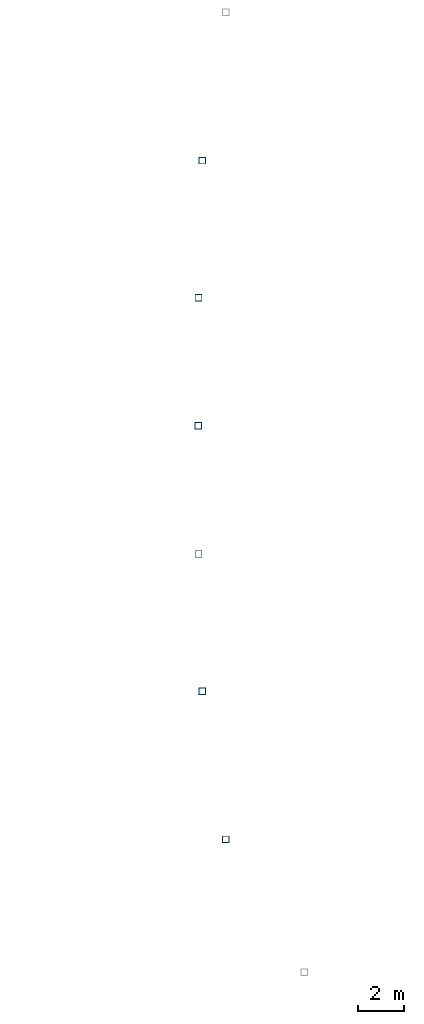
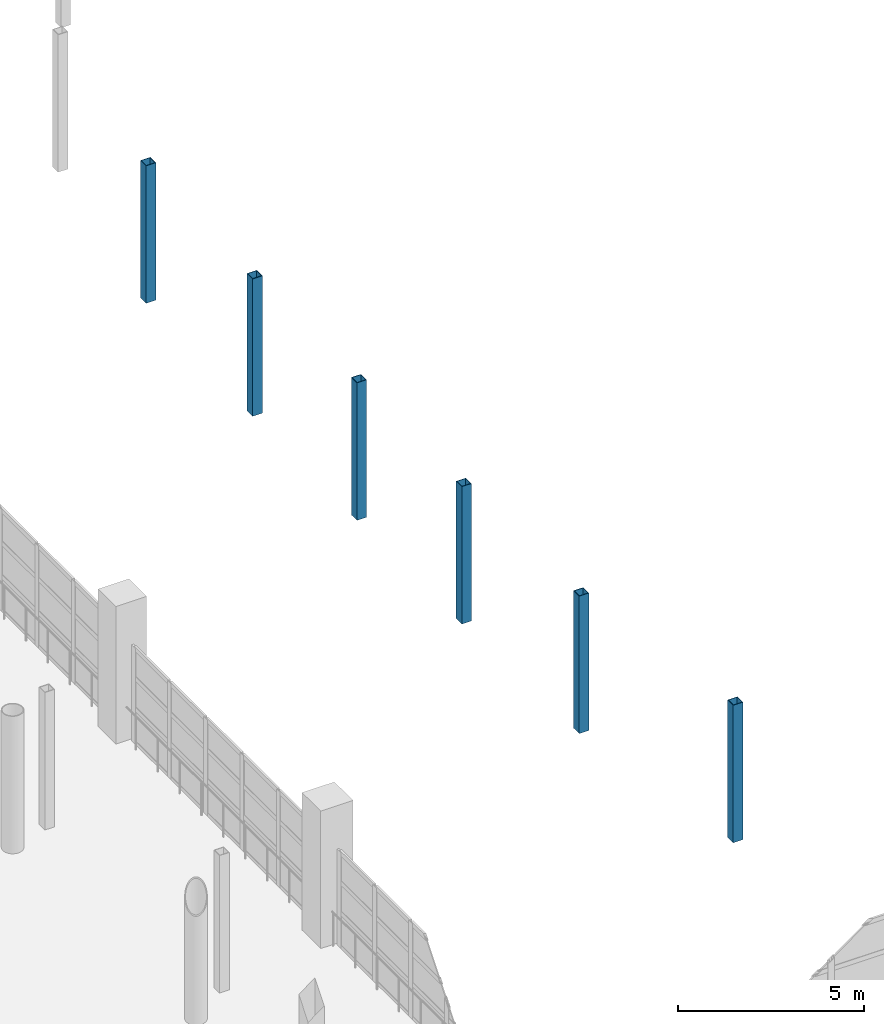
# One storey, part 7 of 118: 6 columns.
"""IFC4 building model written with IfcOpenShell, lengths in metres."""

import ifcopenshell
import ifcopenshell.guid

model = None  # the IFC model being written
_history = None  # IfcOwnerHistory: only IFC2X3 demands one
_inside = {}  # id of a spatial element -> (the spatial element, [elements in it])
_under = {}  # id of a project, library or spatial element -> (it, [spatial elements below it])
_declared = {}  # id of a project -> (the project, [libraries it declares])
_typed = {}  # id of a type object -> (the type object, [elements of that type])
_made_of = {}  # id of a material, layer set ... -> (it, [elements and type objects made of it])


def new_model(schema):
    """Start an empty IFC model of exactly this schema.

    Asked for "IFC4X3", IfcOpenShell would pick the latest addendum, in which some entities
    have other attributes; the version numbers below select the first issue.
    IFC2X3 requires an IfcOwnerHistory on every rooted entity: one is made here for all.
    """
    global model, _history
    if schema == "IFC4X3":
        model = ifcopenshell.file(schema_version=(4, 3, 0, 0))
    else:
        model = ifcopenshell.file(schema=schema)
    _inside.clear()
    _under.clear()
    _declared.clear()
    _typed.clear()
    _made_of.clear()
    _history = None
    if model.schema == "IFC2X3":
        org = make("IfcOrganization", Name="unknown")
        user = make(
            "IfcPersonAndOrganization",
            ThePerson=make("IfcPerson", FamilyName="unknown"),
            TheOrganization=org,
        )
        app = make(
            "IfcApplication",
            ApplicationDeveloper=org,
            Version="unknown",
            ApplicationFullName="unknown",
            ApplicationIdentifier="unknown",
        )
        _history = make(
            "IfcOwnerHistory",
            OwningUser=user,
            OwningApplication=app,
            ChangeAction="ADDED",
            CreationDate=0,
        )
    return model


def make(cls, **values):
    """One entity of the class cls with the attributes given. An attribute that is None is left unset."""
    return model.create_entity(
        cls, **{name: value for name, value in values.items() if value is not None}
    )


def rooted(cls, **values):
    """An entity with a GlobalId (a new one), such as an element, a storey or a relation."""
    return make(cls, GlobalId=ifcopenshell.guid.new(), OwnerHistory=_history, **values)


def si_unit(unit_type, name, prefix=None):
    """IfcSIUnit, for example si_unit("LENGTHUNIT", "METRE", prefix="MILLI")."""
    return make("IfcSIUnit", UnitType=unit_type, Prefix=prefix, Name=name)


def assignment(units):
    """IfcUnitAssignment: the units of a project."""
    return None if units is None else make("IfcUnitAssignment", Units=units)


def point(xyz):
    """IfcCartesianPoint."""
    return None if xyz is None else make("IfcCartesianPoint", Coordinates=xyz)


def direction(xyz):
    """IfcDirection."""
    return None if xyz is None else make("IfcDirection", DirectionRatios=xyz)


def frame(location, z_axis=None, x_axis=None):
    """IfcAxis2Placement3D, a coordinate frame: its origin and axes. An axis left out is left unset."""
    return make(
        "IfcAxis2Placement3D",
        Location=point(location),
        Axis=direction(z_axis),
        RefDirection=direction(x_axis),
    )


def frame_2d(location, x_axis=None):
    """IfcAxis2Placement2D, a coordinate frame in the plane: its origin and x axis."""
    return make(
        "IfcAxis2Placement2D", Location=point(location), RefDirection=direction(x_axis)
    )


def origin():
    """The frame at (0, 0, 0) with its axes left unset."""
    return frame((0.0, 0.0, 0.0))


def origin_2d():
    """The frame at (0, 0) in the plane with its x axis left unset."""
    return frame_2d((0.0, 0.0))


def place(relative_to, where):
    """IfcLocalPlacement: puts the frame where relative to a parent placement (None: the world)."""
    return make(
        "IfcLocalPlacement", PlacementRelTo=relative_to, RelativePlacement=where
    )


def context(
    kind, dimensions, precision=None, world=None, true_north=None, identifier=None
):
    """IfcGeometricRepresentationContext, for example the 3D "Model" context."""
    return make(
        "IfcGeometricRepresentationContext",
        ContextIdentifier=identifier,
        ContextType=kind,
        CoordinateSpaceDimension=dimensions,
        Precision=precision,
        WorldCoordinateSystem=world,
        TrueNorth=true_north,
    )


def subcontext(parent, identifier, kind, view, scale=None):
    """IfcGeometricRepresentationSubContext, for example "Body" below "Model"."""
    return make(
        "IfcGeometricRepresentationSubContext",
        ContextIdentifier=identifier,
        ContextType=kind,
        ParentContext=parent,
        TargetScale=scale,
        TargetView=view,
    )


def project(units=None, contexts=None):
    """IfcProject with its units and contexts."""
    return rooted(
        "IfcProject",
        Name="project",
        RepresentationContexts=contexts,
        UnitsInContext=assignment(units),
    )


def spatial(cls, under=None, at=None, **own):
    """A site, building, storey or space (cls), placed at a placement, below another one or the project."""
    s = rooted(cls, ObjectPlacement=at, **own)
    if under is not None:
        _under.setdefault(under.id(), (under, []))[1].append(s)
    return s


def profile(cls, at=None, kind="AREA", **sizes):
    """A parametric profile (cls). Its sizes go by their IFC names, for example OverallWidth=200.0."""
    return make(cls, ProfileType=kind, Position=at, **sizes)


def hollow_rectangle(**sizes):
    """IfcRectangleHollowProfileDef."""
    return profile("IfcRectangleHollowProfileDef", **sizes)


def extrude(swept, where, along, depth):
    """IfcExtrudedAreaSolid: the profile swept, set in the frame where, extruded along a direction by depth."""
    return make(
        "IfcExtrudedAreaSolid",
        SweptArea=swept,
        Position=where,
        ExtrudedDirection=direction(along),
        Depth=depth,
    )


def shape(context_of_items, identifier, shape_type, items):
    """IfcShapeRepresentation: the items that make up one representation, for example the "Body"."""
    return make(
        "IfcShapeRepresentation",
        ContextOfItems=context_of_items,
        RepresentationIdentifier=identifier,
        RepresentationType=shape_type,
        Items=items,
    )


def material(Name=None, Category=None):
    """IfcMaterial."""
    return make("IfcMaterial", Name=Name, Category=Category)


def material_profile(
    of_material, cross_section, Name=None, Category=None, Priority=None
):
    """IfcMaterialProfile: a cross section and its material."""
    return make(
        "IfcMaterialProfile",
        Name=Name,
        Material=of_material,
        Profile=cross_section,
        Priority=Priority,
        Category=Category,
    )


def profile_set(profiles, Name=None, composite=None):
    """IfcMaterialProfileSet."""
    return make(
        "IfcMaterialProfileSet",
        Name=Name,
        MaterialProfiles=profiles,
        CompositeProfile=composite,
    )


def made_of(thing, what):
    """Note that an element or type object is made of a material, layer set ...; save() writes the relation."""
    if what is not None:
        _made_of.setdefault(what.id(), (what, []))[1].append(thing)
    return thing


def type_object(cls, material=None, **own):
    """A type object (cls), such as IfcWallType, which elements share."""
    return made_of(rooted(cls, **own), material)


def element(
    cls,
    number,
    at=None,
    inside=None,
    cuts=None,
    type_object=None,
    material=None,
    context=None,
    identifier="Body",
    shape_type=None,
    held_by="IfcProductDefinitionShape",
    body=None,
    shapes=None,
    **own,
):
    """One element of the class cls, such as IfcWall. Its Tag is "e" and its number.

    at: its placement. inside: the storey or other place that contains it. cuts: it is an
    opening in that element (IfcRelVoidsElement). A single representation is given by context,
    identifier, shape_type and body (its items); several are given by shapes. held_by: the class
    of the entity that holds the representations. save() writes the other relations.
    """
    e = rooted(cls, Tag="e%d" % number, ObjectPlacement=at, **own)
    if body is not None:
        shapes = [shape(context, identifier, shape_type, body)]
    if shapes is not None:
        e.Representation = make(held_by, Representations=shapes)
    if inside is not None:
        _inside.setdefault(inside.id(), (inside, []))[1].append(e)
    if cuts is not None:
        rooted(
            "IfcRelVoidsElement", RelatingBuildingElement=cuts, RelatedOpeningElement=e
        )
    if type_object is not None:
        _typed.setdefault(type_object.id(), (type_object, []))[1].append(e)
    return made_of(e, material)


def aggregate(whole, parts):
    """IfcRelAggregates: a whole, such as a stair, and the parts it consists of."""
    return rooted("IfcRelAggregates", RelatingObject=whole, RelatedObjects=parts)


def save(model, path):
    """Write the relations noted so far, then the file.

    IfcRelAggregates (storeys below a building ...), IfcRelContainedInSpatialStructure (elements
    in a storey), IfcRelDefinesByType, IfcRelAssociatesMaterial and IfcRelDeclares: one each for
    every whole, place, type object, material and project.
    """
    for whole, parts in _under.values():
        aggregate(whole, parts)
    for where, things in _inside.values():
        rooted(
            "IfcRelContainedInSpatialStructure",
            RelatedElements=things,
            RelatingStructure=where,
        )
    for kind, things in _typed.values():
        rooted("IfcRelDefinesByType", RelatedObjects=things, RelatingType=kind)
    for what, things in _made_of.values():
        rooted("IfcRelAssociatesMaterial", RelatedObjects=things, RelatingMaterial=what)
    for by, libraries in _declared.values():
        rooted("IfcRelDeclares", RelatingContext=by, RelatedDefinitions=libraries)
    model.write(path)


model = new_model("IFC4")

# Units and contexts
model_context = context("Model", 3, precision=1e-05, world=origin(), true_north=direction((0.0, 1.0)))
body_context = subcontext(model_context, "Body", "Model", "MODEL_VIEW")
ifc_project = project(units=[si_unit("LENGTHUNIT", "METRE"), si_unit("AREAUNIT", "SQUARE_METRE"), si_unit("VOLUMEUNIT", "CUBIC_METRE"), si_unit("PLANEANGLEUNIT", "RADIAN"), si_unit("MASSUNIT", "GRAM", prefix="KILO")], contexts=[model_context])

# Site, building, storey
site_placement = place(None, origin())
site = spatial("IfcSite", under=ifc_project, at=site_placement, CompositionType="ELEMENT")
building_placement = place(site_placement, origin())
building = spatial("IfcBuilding", under=site, at=building_placement, Name="Luwafu Chhajja Arena", CompositionType="ELEMENT")
storey_placement = place(building_placement, frame((0.0, 0.0, 10.199951171875)))
storey = spatial("IfcBuildingStorey", under=building, at=storey_placement, Name="L02", CompositionType="ELEMENT", Elevation=10.199951171875)

# Columns
ifc_material = material(Name="Steel S355", Category="steel")
ifc_material_profile = material_profile(ifc_material, hollow_rectangle(XDim=0.300048828125, YDim=0.300048828125, WallThickness=0.01611328125, at=origin_2d()), Name="SHS 300x300x16")
ifc_profile_set = profile_set([ifc_material_profile], Name="Steel S355")
column_type = type_object("IfcColumnType", Name="Steel Gallery Post SHS 300", PredefinedType="COLUMN", material=ifc_profile_set)
for number, where, z_axis, x_axis, name in (
    (1, (68.676513671875, 61.11328125, 0.0), (0.0, 0.0, 1.0), (1.0, 0.0, 0.0), "L02 Upper Bowl Raker Column UI15"),
    (2, (68.50830078125, 55.10791015625, 0.0), (0.0, 0.0, 1.0), (1.0, 0.0, 0.0), "L02 Upper Bowl Raker Column UI16"),
    (3, (68.5, 49.5, 0.0), (0.0, 0.0, 1.0), (1.0, 0.0, 0.0), "L02 Upper Bowl Raker Column UI17"),
    (4, (68.50830078125, 43.89208984375, 0.0), (0.0, 0.0, 1.0), (1.0, 0.0, 0.0), "L02 Upper Bowl Raker Column UI18"),
    (5, (68.676513671875, 37.88671875, 0.0), (0.0, 0.0, 1.0), (1.0, 0.0, 0.0), "L02 Upper Bowl Raker Column UI19"),
    (6, (69.701416015625, 31.399658203125, 0.0), (0.0, 0.0, 1.0), (1.0, 0.0, 0.0), "L02 Upper Bowl Raker Column UI20"),
):
    element("IfcColumn", number, at=place(storey_placement, frame(where, z_axis=z_axis, x_axis=x_axis)), inside=storey, type_object=column_type, Name=name, PredefinedType="COLUMN", context=body_context, shape_type="SweptSolid", body=[
        extrude(hollow_rectangle(XDim=0.300048828125, YDim=0.300048828125, WallThickness=0.01611328125, at=origin_2d()), origin(), (0.0, 0.0, 1.0), 4.5),
    ])

save(model, "model.ifc")
